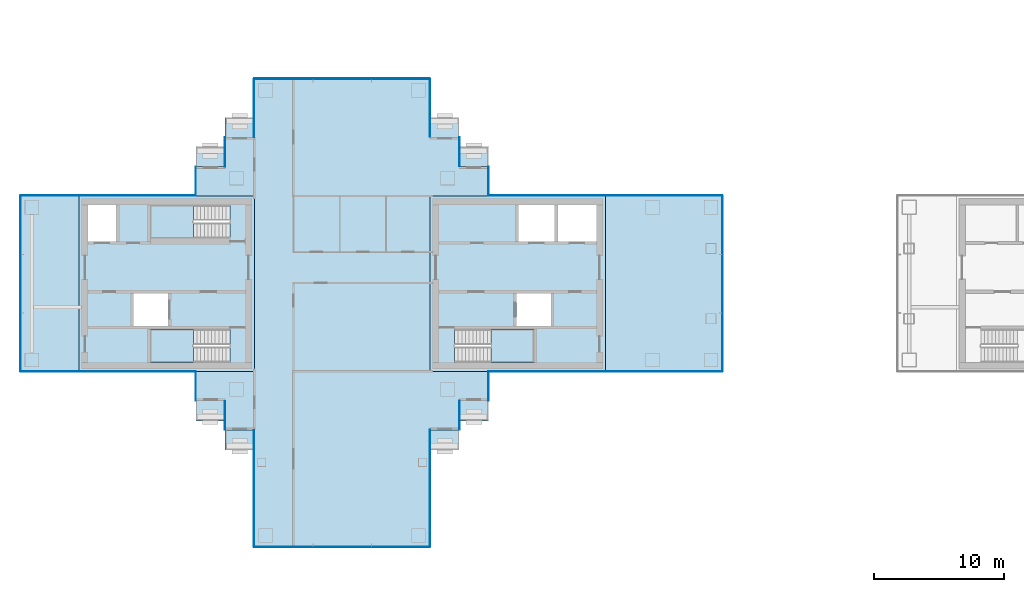
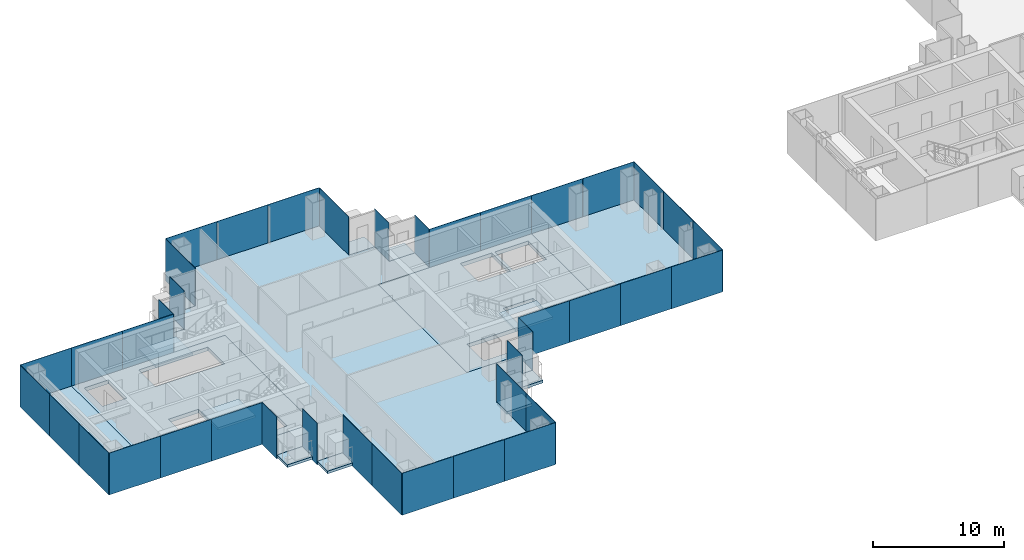
# One storey, part 7 of 17: 40 plates, 16 slabs, 23 elements without a shape of their own.
"""IFC4 building model written with IfcOpenShell, lengths in metres."""

from ifc_helpers import new_model, si_unit, direction, frame, origin, origin_2d, place, context, subcontext, project, spatial, polyline, rectangle, outline, extrude, material, layer, layer_set, type_object, element, aggregate, save


model = new_model("IFC4")

# Units and contexts
model_context = context("Model", 3, precision=1e-05, world=origin(), true_north=direction((0.0, 1.0)))
body_context = subcontext(model_context, "Body", "Model", "MODEL_VIEW")
ifc_project = project(units=[si_unit("LENGTHUNIT", "METRE"), si_unit("AREAUNIT", "SQUARE_METRE"), si_unit("VOLUMEUNIT", "CUBIC_METRE"), si_unit("PLANEANGLEUNIT", "RADIAN"), si_unit("MASSUNIT", "GRAM", prefix="KILO")], contexts=[model_context])

# Site, building, storey
site_placement = place(None, origin())
site = spatial("IfcSite", under=ifc_project, at=site_placement, CompositionType="ELEMENT")
building_placement = place(site_placement, origin())
building = spatial("IfcBuilding", under=site, at=building_placement, Name="Shamsa Quay Exchange Towers", CompositionType="ELEMENT")
storey_placement = place(building_placement, frame((0.0, 0.0, 174.0)))
storey = spatial("IfcBuildingStorey", under=building, at=storey_placement, Name="L41", CompositionType="ELEMENT", Elevation=174.0)

# Slabs
ifc_material_1 = material(Name="Precast concrete C40/50", Category="concrete")
ifc_layer_1 = layer(ifc_material_1, 0.25)
ifc_layer_set_1 = layer_set([ifc_layer_1], Name="BALCONY SLAB 250")
slab_type_1 = type_object("IfcSlabType", Name="BALCONY SLAB 250", PredefinedType="FLOOR", material=ifc_layer_set_1)
slab_1_placement = place(storey_placement, frame((0.0, 0.0, -0.25)))
element("IfcSlab", 1, at=slab_1_placement, inside=storey, type_object=slab_type_1, Name="Balcony T1-PKEN L41", PredefinedType="FLOOR", context=body_context, shape_type="SweptSolid", body=[
    extrude(outline(polyline([(-22.5, 9.0), (-24.7119140625, 9.0), (-24.7119140625, 10.550048828125), (-22.5, 10.550048828125), (-22.5, 9.0)])), origin(), (0.0, 0.0, 1.0), 0.25),
])
slab_2_placement = place(storey_placement, frame((0.0, 0.0, -0.25)))
element("IfcSlab", 2, at=slab_2_placement, inside=storey, type_object=slab_type_1, Name="Balcony T1-PKEN L41", PredefinedType="FLOOR", context=body_context, shape_type="SweptSolid", body=[
    extrude(outline(polyline([(-24.75, 11.25), (-26.9619140625, 11.25), (-26.9619140625, 12.800048828125), (-24.75, 12.800048828125), (-24.75, 11.25)])), origin(), (0.0, 0.0, 1.0), 0.25),
])
slab_3_placement = place(storey_placement, frame((0.0, 0.0, -0.25)))
element("IfcSlab", 3, at=slab_3_placement, inside=storey, type_object=slab_type_1, Name="Balcony T1-PKES L41", PredefinedType="FLOOR", context=body_context, shape_type="SweptSolid", body=[
    extrude(outline(polyline([(-24.7119140625, -9.0), (-22.5, -9.0), (-22.5, -10.550048828125), (-24.7119140625, -10.550048828125), (-24.7119140625, -9.0)])), origin(), (0.0, 0.0, 1.0), 0.25),
])
slab_4_placement = place(storey_placement, frame((0.0, 0.0, -0.25)))
element("IfcSlab", 4, at=slab_4_placement, inside=storey, type_object=slab_type_1, Name="Balcony T1-PKES L41", PredefinedType="FLOOR", context=body_context, shape_type="SweptSolid", body=[
    extrude(outline(polyline([(-26.9619140625, -11.25), (-24.75, -11.25), (-24.75, -12.800048828125), (-26.9619140625, -12.800048828125), (-26.9619140625, -11.25)])), origin(), (0.0, 0.0, 1.0), 0.25),
])
slab_5_placement = place(storey_placement, frame((0.0, 0.0, -0.25)))
element("IfcSlab", 5, at=slab_5_placement, inside=storey, type_object=slab_type_1, Name="Balcony T1-PKWN L41", PredefinedType="FLOOR", context=body_context, shape_type="SweptSolid", body=[
    extrude(outline(polyline([(-40.5380859375, 11.25), (-42.75, 11.25), (-42.75, 12.800048828125), (-40.5380859375, 12.800048828125), (-40.5380859375, 11.25)])), origin(), (0.0, 0.0, 1.0), 0.25),
])
slab_6_placement = place(storey_placement, frame((0.0, 0.0, -0.25)))
element("IfcSlab", 6, at=slab_6_placement, inside=storey, type_object=slab_type_1, Name="Balcony T1-PKWN L41", PredefinedType="FLOOR", context=body_context, shape_type="SweptSolid", body=[
    extrude(outline(polyline([(-42.7880859375, 9.0), (-45.0, 9.0), (-45.0, 10.550048828125), (-42.7880859375, 10.550048828125), (-42.7880859375, 9.0)])), origin(), (0.0, 0.0, 1.0), 0.25),
])
slab_7_placement = place(storey_placement, frame((0.0, 0.0, -0.25)))
element("IfcSlab", 7, at=slab_7_placement, inside=storey, type_object=slab_type_1, Name="Balcony T1-PKWS L41", PredefinedType="FLOOR", context=body_context, shape_type="SweptSolid", body=[
    extrude(outline(polyline([(-45.0, -9.0), (-42.7880859375, -9.0), (-42.7880859375, -10.550048828125), (-45.0, -10.550048828125), (-45.0, -9.0)])), origin(), (0.0, 0.0, 1.0), 0.25),
])
slab_8_placement = place(storey_placement, frame((0.0, 0.0, -0.25)))
element("IfcSlab", 8, at=slab_8_placement, inside=storey, type_object=slab_type_1, Name="Balcony T1-PKWS L41", PredefinedType="FLOOR", context=body_context, shape_type="SweptSolid", body=[
    extrude(outline(polyline([(-42.75, -11.25), (-40.5380859375, -11.25), (-40.5380859375, -12.800048828125), (-42.75, -12.800048828125), (-42.75, -11.25)])), origin(), (0.0, 0.0, 1.0), 0.25),
])
ifc_material_2 = material(Name="Concrete C50/60", Category="concrete")
ifc_layer_2 = layer(ifc_material_2, 0.35009765625)
ifc_layer_set_2 = layer_set([ifc_layer_2], Name="CORE FLOOR 350 C50/60")
slab_type_2 = type_object("IfcSlabType", Name="CORE FLOOR 350 C50/60", PredefinedType="FLOOR", material=ifc_layer_set_2)
slab_9_placement = place(storey_placement, frame((0.0, 0.0, -0.35009765625)))
element("IfcSlab", 9, at=slab_9_placement, inside=storey, type_object=slab_type_2, Name="Core floor T1A", PredefinedType="FLOOR", context=body_context, shape_type="SweptSolid", body=[
    extrude(outline(polyline([(-27.0, -6.75), (-13.5, -6.75), (-13.5, 6.75), (-27.0, 6.75), (-27.0, -6.75)]), holes=[polyline([(-25.099365234375, -6.050048828125), (-25.099365234375, -3.5), (-19.0, -3.5), (-19.0, -6.050048828125), (-25.099365234375, -6.050048828125)]), polyline([(-20.199951171875, 3.25), (-20.199951171875, 6.050048828125), (-17.39990234375, 6.050048828125), (-17.39990234375, 3.25), (-20.199951171875, 3.25)]), polyline([(-17.14990234375, 3.25), (-17.14990234375, 6.050048828125), (-14.199951171875, 6.050048828125), (-14.199951171875, 3.25), (-17.14990234375, 3.25)]), polyline([(-20.35009765625, -3.25), (-20.35009765625, -0.75), (-17.699951171875, -0.75), (-17.699951171875, -3.25), (-20.35009765625, -3.25)])]), origin(), (0.0, 0.0, 1.0), 0.35009765625),
])
slab_10_placement = place(storey_placement, frame((0.0, 0.0, -0.35009765625)))
element("IfcSlab", 10, at=slab_10_placement, inside=storey, type_object=slab_type_2, Name="Core floor T1B", PredefinedType="FLOOR", context=body_context, shape_type="SweptSolid", body=[
    extrude(outline(polyline([(-40.5, -6.75), (-40.5, 6.75), (-54.0, 6.75), (-54.0, -6.75), (-40.5, -6.75)]), holes=[polyline([(-42.400634765625, -3.5), (-42.400634765625, -6.050048828125), (-48.5, -6.050048828125), (-48.5, -3.5), (-42.400634765625, -3.5)]), polyline([(-42.400634765625, 6.050048828125), (-42.400634765625, 3.5), (-48.5, 3.5), (-48.5, 6.050048828125), (-42.400634765625, 6.050048828125)]), polyline([(-51.14990234375, 3.25), (-53.300048828125, 3.25), (-53.300048828125, 6.050048828125), (-51.14990234375, 6.050048828125), (-51.14990234375, 3.25)]), polyline([(-47.14990234375, -3.25), (-49.800048828125, -3.25), (-49.800048828125, -0.75), (-47.14990234375, -0.75), (-47.14990234375, -3.25)])]), origin(), (0.0, 0.0, 1.0), 0.35009765625),
])

# Stair, slab
ifc_material_3 = material(Name="Concrete C40/50", Category="concrete")
stair_type = type_object("IfcStairType", Name="EXIT STAIR 22 RISERS 177 MM", PredefinedType="HALF_TURN_STAIR", material=ifc_material_3)
stair_1_placement = place(storey_placement, origin())
stair_1 = element("IfcStair", 11, at=stair_1_placement, inside=storey, type_object=stair_type, Name="L41 Exit stair ST1", PredefinedType="HALF_TURN_STAIR")
ifc_layer_3 = layer(ifc_material_3, 0.199951171875)
ifc_layer_set_3 = layer_set([ifc_layer_3], Name="CORE STAIR LANDING")
slab_type_3 = type_object("IfcSlabType", Name="CORE STAIR LANDING", PredefinedType="LANDING", material=ifc_layer_set_3)
slab_11_placement = place(storey_placement, frame((0.0, 0.0, 1.75)))
slab_11 = element("IfcSlab", 12, at=slab_11_placement, type_object=slab_type_3, Name="ST1 landing 1", PredefinedType="LANDING", context=body_context, shape_type="SweptSolid", body=[
    extrude(outline(polyline([(-22.300048828125, -6.050048828125), (-19.0, -6.050048828125), (-19.0, -3.5), (-22.300048828125, -3.5), (-22.300048828125, -6.050048828125)])), origin(), (0.0, 0.0, 1.0), 0.199951171875),
])
aggregate(stair_1, [slab_11])

stair_2_placement = place(storey_placement, origin())
stair_2 = element("IfcStair", 13, at=stair_2_placement, inside=storey, type_object=stair_type, Name="L41 Exit stair ST2", PredefinedType="HALF_TURN_STAIR")
slab_12_placement = place(storey_placement, frame((0.0, 0.0, 1.75)))
slab_12 = element("IfcSlab", 14, at=slab_12_placement, type_object=slab_type_3, Name="ST2 landing 1", PredefinedType="LANDING", context=body_context, shape_type="SweptSolid", body=[
    extrude(outline(polyline([(-45.199951171875, -3.5), (-48.5, -3.5), (-48.5, -6.050048828125), (-45.199951171875, -6.050048828125), (-45.199951171875, -3.5)])), origin(), (0.0, 0.0, 1.0), 0.199951171875),
])
aggregate(stair_2, [slab_12])

stair_3_placement = place(storey_placement, origin())
stair_3 = element("IfcStair", 15, at=stair_3_placement, inside=storey, type_object=stair_type, Name="L41 Exit stair ST3", PredefinedType="HALF_TURN_STAIR")
slab_13_placement = place(storey_placement, frame((0.0, 0.0, 1.75)))
slab_13 = element("IfcSlab", 16, at=slab_13_placement, type_object=slab_type_3, Name="ST3 landing 1", PredefinedType="LANDING", context=body_context, shape_type="SweptSolid", body=[
    extrude(outline(polyline([(-45.199951171875, 6.050048828125), (-48.5, 6.050048828125), (-48.5, 3.5), (-45.199951171875, 3.5), (-45.199951171875, 6.050048828125)])), origin(), (0.0, 0.0, 1.0), 0.199951171875),
])
aggregate(stair_3, [slab_13])

# Curtain wall, plates
ifc_material_4 = material(Name="Aluminium EN AW-6063 T6, black anodised", Category="aluminium")
ifc_layer_4 = layer(ifc_material_4, 0.280029296875)
ifc_layer_set_4 = layer_set([ifc_layer_4], Name="CW-1 UNITISED VISION GLASS")
curtain_wall_type_1 = type_object("IfcCurtainWallType", Name="CW-1 UNITISED VISION GLASS", PredefinedType="NOTDEFINED", material=ifc_layer_set_4)
curtain_wall_1_placement = place(storey_placement, origin())
curtain_wall_1 = element("IfcCurtainWall", 17, at=curtain_wall_1_placement, inside=storey, type_object=curtain_wall_type_1, Name="CW1 T1-FLK-V-W L41", PredefinedType="NOTDEFINED")
ifc_material_5 = material(Name="Glass, laminated, dark tinted", Category="glass")
ifc_layer_5 = layer(ifc_material_5, 0.0400390625)
ifc_layer_set_5 = layer_set([ifc_layer_5], Name="CW-1 VISION GLASS 40")
plate_type_1 = type_object("IfcPlateType", Name="CW-1 VISION GLASS 40", PredefinedType="CURTAIN_PANEL", material=ifc_layer_set_5)
plate_1_placement = place(storey_placement, frame((-40.52001953125, -13.52587890625, -0.349853515625), z_axis=(0.0, 0.0, 1.0), x_axis=(0.0, -1.0, 0.0)))
plate_1 = element("IfcPlate", 18, at=plate_1_placement, type_object=plate_type_1, Name="CW1 glass panel", PredefinedType="CURTAIN_PANEL", context=body_context, shape_type="SweptSolid", body=[
    extrude(rectangle(XDim=4.47607421875, YDim=0.0400390625, at=origin_2d()), origin(), (0.0, 0.0, 1.0), 3.89990234375),
])
plate_2_placement = place(storey_placement, frame((-40.52001953125, -18.011962890625, -0.349853515625), z_axis=(0.0, 0.0, 1.0), x_axis=(0.0, -1.0, 0.0)))
plate_2 = element("IfcPlate", 19, at=plate_2_placement, type_object=plate_type_1, Name="CW1 glass panel", PredefinedType="CURTAIN_PANEL", context=body_context, shape_type="SweptSolid", body=[
    extrude(rectangle(XDim=4.47607421875, YDim=0.0400390625, at=origin_2d()), origin(), (0.0, 0.0, 1.0), 3.89990234375),
])
aggregate(curtain_wall_1, [plate_1, plate_2])

curtain_wall_2_placement = place(storey_placement, origin())
curtain_wall_2 = element("IfcCurtainWall", 20, at=curtain_wall_2_placement, inside=storey, type_object=curtain_wall_type_1, Name="CW1 T1-END-V- L41", PredefinedType="NOTDEFINED")
plate_3_placement = place(storey_placement, frame((-38.25244140625, -20.27001953125, -0.349853515625)))
plate_3 = element("IfcPlate", 21, at=plate_3_placement, type_object=plate_type_1, Name="CW1 glass panel", PredefinedType="CURTAIN_PANEL", context=body_context, shape_type="SweptSolid", body=[
    extrude(rectangle(XDim=4.4951171875, YDim=0.0400390625, at=origin_2d()), origin(), (0.0, 0.0, 1.0), 3.89990234375),
])
plate_4_placement = place(storey_placement, frame((-33.75, -20.27001953125, -0.349853515625)))
plate_4 = element("IfcPlate", 22, at=plate_4_placement, type_object=plate_type_1, Name="CW1 glass panel", PredefinedType="CURTAIN_PANEL", context=body_context, shape_type="SweptSolid", body=[
    extrude(rectangle(XDim=4.489990234375, YDim=0.0400390625, at=origin_2d()), origin(), (0.0, 0.0, 1.0), 3.89990234375),
])
plate_5_placement = place(storey_placement, frame((-29.24755859375, -20.27001953125, -0.349853515625)))
plate_5 = element("IfcPlate", 23, at=plate_5_placement, type_object=plate_type_1, Name="CW1 glass panel", PredefinedType="CURTAIN_PANEL", context=body_context, shape_type="SweptSolid", body=[
    extrude(rectangle(XDim=4.4951171875, YDim=0.0400390625, at=origin_2d()), origin(), (0.0, 0.0, 1.0), 3.89990234375),
])
aggregate(curtain_wall_2, [plate_3, plate_4, plate_5])

curtain_wall_3_placement = place(storey_placement, origin())
curtain_wall_3 = element("IfcCurtainWall", 24, at=curtain_wall_3_placement, inside=storey, type_object=curtain_wall_type_1, Name="CW1 T1-FLK-V-E L41", PredefinedType="NOTDEFINED")
plate_6_placement = place(storey_placement, frame((-26.97998046875, -18.00244140625, -0.349853515625), z_axis=(0.0, 0.0, 1.0), x_axis=(0.0, 1.0, 0.0)))
plate_6 = element("IfcPlate", 25, at=plate_6_placement, type_object=plate_type_1, Name="CW1 glass panel", PredefinedType="CURTAIN_PANEL", context=body_context, shape_type="SweptSolid", body=[
    extrude(rectangle(XDim=4.4951171875, YDim=0.0400390625, at=origin_2d()), origin(), (0.0, 0.0, 1.0), 3.89990234375),
])
plate_7_placement = place(storey_placement, frame((-26.97998046875, -13.49755859375, -0.349853515625), z_axis=(0.0, 0.0, 1.0), x_axis=(0.0, 1.0, 0.0)))
plate_7 = element("IfcPlate", 26, at=plate_7_placement, type_object=plate_type_1, Name="CW1 glass panel", PredefinedType="CURTAIN_PANEL", context=body_context, shape_type="SweptSolid", body=[
    extrude(rectangle(XDim=4.4951171875, YDim=0.0400390625, at=origin_2d()), origin(), (0.0, 0.0, 1.0), 3.89990234375),
])
aggregate(curtain_wall_3, [plate_6, plate_7])

curtain_wall_4_placement = place(storey_placement, origin())
curtain_wall_4 = element("IfcCurtainWall", 27, at=curtain_wall_4_placement, inside=storey, type_object=curtain_wall_type_1, Name="CW1 T1-FLK-U+S L41", PredefinedType="NOTDEFINED")
plate_8_placement = place(storey_placement, frame((-11.25244140625, -6.77001953125, -0.349853515625)))
plate_8 = element("IfcPlate", 28, at=plate_8_placement, type_object=plate_type_1, Name="CW1 glass panel", PredefinedType="CURTAIN_PANEL", context=body_context, shape_type="SweptSolid", body=[
    extrude(rectangle(XDim=4.4951171875, YDim=0.0400390625, at=origin_2d()), origin(), (0.0, 0.0, 1.0), 3.89990234375),
])
plate_9_placement = place(storey_placement, frame((-6.74755859375, -6.77001953125, -0.349853515625)))
plate_9 = element("IfcPlate", 29, at=plate_9_placement, type_object=plate_type_1, Name="CW1 glass panel", PredefinedType="CURTAIN_PANEL", context=body_context, shape_type="SweptSolid", body=[
    extrude(rectangle(XDim=4.4951171875, YDim=0.0400390625, at=origin_2d()), origin(), (0.0, 0.0, 1.0), 3.89990234375),
])
aggregate(curtain_wall_4, [plate_8, plate_9])

curtain_wall_5_placement = place(storey_placement, origin())
curtain_wall_5 = element("IfcCurtainWall", 30, at=curtain_wall_5_placement, inside=storey, type_object=curtain_wall_type_1, Name="CW1 T1-END-U+ L41", PredefinedType="NOTDEFINED")
plate_10_placement = place(storey_placement, frame((-4.47998046875, -4.50244140625, -0.349853515625), z_axis=(0.0, 0.0, 1.0), x_axis=(0.0, 1.0, 0.0)))
plate_10 = element("IfcPlate", 31, at=plate_10_placement, type_object=plate_type_1, Name="CW1 glass panel", PredefinedType="CURTAIN_PANEL", context=body_context, shape_type="SweptSolid", body=[
    extrude(rectangle(XDim=4.4951171875, YDim=0.0400390625, at=origin_2d()), origin(), (0.0, 0.0, 1.0), 3.89990234375),
])
plate_11_placement = place(storey_placement, frame((-4.47998046875, 0.0, -0.349853515625), z_axis=(0.0, 0.0, 1.0), x_axis=(0.0, 1.0, 0.0)))
plate_11 = element("IfcPlate", 32, at=plate_11_placement, type_object=plate_type_1, Name="CW1 glass panel", PredefinedType="CURTAIN_PANEL", context=body_context, shape_type="SweptSolid", body=[
    extrude(rectangle(XDim=4.489990234375, YDim=0.0400390625, at=origin_2d()), origin(), (0.0, 0.0, 1.0), 3.89990234375),
])
plate_12_placement = place(storey_placement, frame((-4.47998046875, 4.50244140625, -0.349853515625), z_axis=(0.0, 0.0, 1.0), x_axis=(0.0, 1.0, 0.0)))
plate_12 = element("IfcPlate", 33, at=plate_12_placement, type_object=plate_type_1, Name="CW1 glass panel", PredefinedType="CURTAIN_PANEL", context=body_context, shape_type="SweptSolid", body=[
    extrude(rectangle(XDim=4.4951171875, YDim=0.0400390625, at=origin_2d()), origin(), (0.0, 0.0, 1.0), 3.89990234375),
])
aggregate(curtain_wall_5, [plate_10, plate_11, plate_12])

curtain_wall_6_placement = place(storey_placement, origin())
curtain_wall_6 = element("IfcCurtainWall", 34, at=curtain_wall_6_placement, inside=storey, type_object=curtain_wall_type_1, Name="CW1 T1-FLK-U+N L41", PredefinedType="NOTDEFINED")
plate_13_placement = place(storey_placement, frame((-6.74755859375, 6.77001953125, -0.349853515625), z_axis=(0.0, 0.0, 1.0), x_axis=(-1.0, 0.0, 0.0)))
plate_13 = element("IfcPlate", 35, at=plate_13_placement, type_object=plate_type_1, Name="CW1 glass panel", PredefinedType="CURTAIN_PANEL", context=body_context, shape_type="SweptSolid", body=[
    extrude(rectangle(XDim=4.4951171875, YDim=0.0400390625, at=origin_2d()), origin(), (0.0, 0.0, 1.0), 3.89990234375),
])
plate_14_placement = place(storey_placement, frame((-11.25244140625, 6.77001953125, -0.349853515625), z_axis=(0.0, 0.0, 1.0), x_axis=(-1.0, 0.0, 0.0)))
plate_14 = element("IfcPlate", 36, at=plate_14_placement, type_object=plate_type_1, Name="CW1 glass panel", PredefinedType="CURTAIN_PANEL", context=body_context, shape_type="SweptSolid", body=[
    extrude(rectangle(XDim=4.4951171875, YDim=0.0400390625, at=origin_2d()), origin(), (0.0, 0.0, 1.0), 3.89990234375),
])
aggregate(curtain_wall_6, [plate_13, plate_14])

# Curtain wall, plate
curtain_wall_7_placement = place(storey_placement, origin())
curtain_wall_7 = element("IfcCurtainWall", 37, at=curtain_wall_7_placement, inside=storey, type_object=curtain_wall_type_1, Name="CW1 T1-FLK-V+E L41", PredefinedType="NOTDEFINED")
plate_15_placement = place(storey_placement, frame((-26.97998046875, 13.51904296875, -0.349853515625), z_axis=(0.0, 0.0, 1.0), x_axis=(0.0, 1.0, 0.0)))
plate_15 = element("IfcPlate", 38, at=plate_15_placement, type_object=plate_type_1, Name="CW1 glass panel", PredefinedType="CURTAIN_PANEL", context=body_context, shape_type="SweptSolid", body=[
    extrude(rectangle(XDim=4.4619140625, YDim=0.0400390625, at=origin_2d()), origin(), (0.0, 0.0, 1.0), 3.89990234375),
])
aggregate(curtain_wall_7, [plate_15])

# Curtain wall, plates
curtain_wall_8_placement = place(storey_placement, origin())
curtain_wall_8 = element("IfcCurtainWall", 39, at=curtain_wall_8_placement, inside=storey, type_object=curtain_wall_type_1, Name="CW1 T1-END-V+ L41", PredefinedType="NOTDEFINED")
plate_16_placement = place(storey_placement, frame((-29.24755859375, 15.77001953125, -0.349853515625), z_axis=(0.0, 0.0, 1.0), x_axis=(-1.0, 0.0, 0.0)))
plate_16 = element("IfcPlate", 40, at=plate_16_placement, type_object=plate_type_1, Name="CW1 glass panel", PredefinedType="CURTAIN_PANEL", context=body_context, shape_type="SweptSolid", body=[
    extrude(rectangle(XDim=4.4951171875, YDim=0.0400390625, at=origin_2d()), origin(), (0.0, 0.0, 1.0), 3.89990234375),
])
plate_17_placement = place(storey_placement, frame((-33.75, 15.77001953125, -0.349853515625), z_axis=(0.0, 0.0, 1.0), x_axis=(-1.0, 0.0, 0.0)))
plate_17 = element("IfcPlate", 41, at=plate_17_placement, type_object=plate_type_1, Name="CW1 glass panel", PredefinedType="CURTAIN_PANEL", context=body_context, shape_type="SweptSolid", body=[
    extrude(rectangle(XDim=4.489990234375, YDim=0.0400390625, at=origin_2d()), origin(), (0.0, 0.0, 1.0), 3.89990234375),
])
plate_18_placement = place(storey_placement, frame((-38.25244140625, 15.77001953125, -0.349853515625), z_axis=(0.0, 0.0, 1.0), x_axis=(-1.0, 0.0, 0.0)))
plate_18 = element("IfcPlate", 42, at=plate_18_placement, type_object=plate_type_1, Name="CW1 glass panel", PredefinedType="CURTAIN_PANEL", context=body_context, shape_type="SweptSolid", body=[
    extrude(rectangle(XDim=4.4951171875, YDim=0.0400390625, at=origin_2d()), origin(), (0.0, 0.0, 1.0), 3.89990234375),
])
aggregate(curtain_wall_8, [plate_16, plate_17, plate_18])

# Curtain wall, plate
curtain_wall_9_placement = place(storey_placement, origin())
curtain_wall_9 = element("IfcCurtainWall", 43, at=curtain_wall_9_placement, inside=storey, type_object=curtain_wall_type_1, Name="CW1 T1-FLK-V+W L41", PredefinedType="NOTDEFINED")
plate_19_placement = place(storey_placement, frame((-40.52001953125, 13.5, -0.349853515625), z_axis=(0.0, 0.0, 1.0), x_axis=(0.0, -1.0, 0.0)))
plate_19 = element("IfcPlate", 44, at=plate_19_placement, type_object=plate_type_1, Name="CW1 glass panel", PredefinedType="CURTAIN_PANEL", context=body_context, shape_type="SweptSolid", body=[
    extrude(rectangle(XDim=4.5, YDim=0.0400390625, at=origin_2d()), origin(), (0.0, 0.0, 1.0), 3.89990234375),
])
aggregate(curtain_wall_9, [plate_19])

curtain_wall_10_placement = place(storey_placement, origin())
curtain_wall_10 = element("IfcCurtainWall", 45, at=curtain_wall_10_placement, inside=storey, type_object=curtain_wall_type_1, Name="CW1 T1-FLK-U-N L41", PredefinedType="NOTDEFINED")
plate_20_placement = place(storey_placement, frame((-56.25, 6.77001953125, -0.349853515625), z_axis=(0.0, 0.0, 1.0), x_axis=(-1.0, 0.0, 0.0)))
plate_20 = element("IfcPlate", 46, at=plate_20_placement, type_object=plate_type_1, Name="CW1 glass panel", PredefinedType="CURTAIN_PANEL", context=body_context, shape_type="SweptSolid", body=[
    extrude(rectangle(XDim=4.5, YDim=0.0400390625, at=origin_2d()), origin(), (0.0, 0.0, 1.0), 3.89990234375),
])
aggregate(curtain_wall_10, [plate_20])

# Curtain wall, plates
curtain_wall_11_placement = place(storey_placement, origin())
curtain_wall_11 = element("IfcCurtainWall", 47, at=curtain_wall_11_placement, inside=storey, type_object=curtain_wall_type_1, Name="CW1 T1-END-U- L41", PredefinedType="NOTDEFINED")
plate_21_placement = place(storey_placement, frame((-58.52001953125, 4.50244140625, -0.349853515625), z_axis=(0.0, 0.0, 1.0), x_axis=(0.0, -1.0, 0.0)))
plate_21 = element("IfcPlate", 48, at=plate_21_placement, type_object=plate_type_1, Name="CW1 glass panel", PredefinedType="CURTAIN_PANEL", context=body_context, shape_type="SweptSolid", body=[
    extrude(rectangle(XDim=4.4951171875, YDim=0.0400390625, at=origin_2d()), origin(), (0.0, 0.0, 1.0), 3.89990234375),
])
plate_22_placement = place(storey_placement, frame((-58.52001953125, 0.0, -0.349853515625), z_axis=(0.0, 0.0, 1.0), x_axis=(0.0, -1.0, 0.0)))
plate_22 = element("IfcPlate", 49, at=plate_22_placement, type_object=plate_type_1, Name="CW1 glass panel", PredefinedType="CURTAIN_PANEL", context=body_context, shape_type="SweptSolid", body=[
    extrude(rectangle(XDim=4.489990234375, YDim=0.0400390625, at=origin_2d()), origin(), (0.0, 0.0, 1.0), 3.89990234375),
])
plate_23_placement = place(storey_placement, frame((-58.52001953125, -4.50244140625, -0.349853515625), z_axis=(0.0, 0.0, 1.0), x_axis=(0.0, -1.0, 0.0)))
plate_23 = element("IfcPlate", 50, at=plate_23_placement, type_object=plate_type_1, Name="CW1 glass panel", PredefinedType="CURTAIN_PANEL", context=body_context, shape_type="SweptSolid", body=[
    extrude(rectangle(XDim=4.4951171875, YDim=0.0400390625, at=origin_2d()), origin(), (0.0, 0.0, 1.0), 3.89990234375),
])
aggregate(curtain_wall_11, [plate_21, plate_22, plate_23])

# Curtain wall, plate
curtain_wall_12_placement = place(storey_placement, origin())
curtain_wall_12 = element("IfcCurtainWall", 51, at=curtain_wall_12_placement, inside=storey, type_object=curtain_wall_type_1, Name="CW1 T1-FLK-U-S L41", PredefinedType="NOTDEFINED")
plate_24_placement = place(storey_placement, frame((-56.25, -6.77001953125, -0.349853515625)))
plate_24 = element("IfcPlate", 52, at=plate_24_placement, type_object=plate_type_1, Name="CW1 glass panel", PredefinedType="CURTAIN_PANEL", context=body_context, shape_type="SweptSolid", body=[
    extrude(rectangle(XDim=4.5, YDim=0.0400390625, at=origin_2d()), origin(), (0.0, 0.0, 1.0), 3.89990234375),
])
aggregate(curtain_wall_12, [plate_24])

# Curtain wall, plates
ifc_layer_6 = layer(ifc_material_4, 0.303955078125)
ifc_layer_set_6 = layer_set([ifc_layer_6], Name="CW-2 UNITISED OPAQUE SPANDREL GLASS")
curtain_wall_type_2 = type_object("IfcCurtainWallType", Name="CW-2 UNITISED OPAQUE SPANDREL GLASS", PredefinedType="NOTDEFINED", material=ifc_layer_set_6)
curtain_wall_13_placement = place(storey_placement, origin())
curtain_wall_13 = element("IfcCurtainWall", 53, at=curtain_wall_13_placement, inside=storey, type_object=curtain_wall_type_2, Name="CW2 T1-FLK-U+S L41", PredefinedType="NOTDEFINED")
ifc_material_6 = material(Name="Glass, laminated, black enamelled opaque", Category="glass")
ifc_layer_7 = layer(ifc_material_6, 0.0439453125)
ifc_layer_set_7 = layer_set([ifc_layer_7], Name="CW-2 SPANDREL GLASS 44")
plate_type_2 = type_object("IfcPlateType", Name="CW-2 SPANDREL GLASS 44", PredefinedType="CURTAIN_PANEL", material=ifc_layer_set_7)
plate_25_placement = place(storey_placement, frame((-20.22412109375, -6.77197265625, -0.349853515625)))
plate_25 = element("IfcPlate", 54, at=plate_25_placement, type_object=plate_type_2, Name="CW2 glass panel", PredefinedType="CURTAIN_PANEL", context=body_context, shape_type="SweptSolid", body=[
    extrude(rectangle(XDim=4.47607421875, YDim=0.0439453125, at=origin_2d()), origin(), (0.0, 0.0, 1.0), 3.89990234375),
])
plate_26_placement = place(storey_placement, frame((-15.738037109375, -6.77197265625, -0.349853515625)))
plate_26 = element("IfcPlate", 55, at=plate_26_placement, type_object=plate_type_2, Name="CW2 glass panel", PredefinedType="CURTAIN_PANEL", context=body_context, shape_type="SweptSolid", body=[
    extrude(rectangle(XDim=4.47607421875, YDim=0.0439453125, at=origin_2d()), origin(), (0.0, 0.0, 1.0), 3.89990234375),
])
aggregate(curtain_wall_13, [plate_25, plate_26])

curtain_wall_14_placement = place(storey_placement, origin())
curtain_wall_14 = element("IfcCurtainWall", 56, at=curtain_wall_14_placement, inside=storey, type_object=curtain_wall_type_2, Name="CW2 T1-FLK-U+N L41", PredefinedType="NOTDEFINED")
plate_27_placement = place(storey_placement, frame((-15.74755859375, 6.77197265625, -0.349853515625), z_axis=(0.0, 0.0, 1.0), x_axis=(-1.0, 0.0, 0.0)))
plate_27 = element("IfcPlate", 57, at=plate_27_placement, type_object=plate_type_2, Name="CW2 glass panel", PredefinedType="CURTAIN_PANEL", context=body_context, shape_type="SweptSolid", body=[
    extrude(rectangle(XDim=4.4951171875, YDim=0.0439453125, at=origin_2d()), origin(), (0.0, 0.0, 1.0), 3.89990234375),
])
plate_28_placement = place(storey_placement, frame((-20.25244140625, 6.77197265625, -0.349853515625), z_axis=(0.0, 0.0, 1.0), x_axis=(-1.0, 0.0, 0.0)))
plate_28 = element("IfcPlate", 58, at=plate_28_placement, type_object=plate_type_2, Name="CW2 glass panel", PredefinedType="CURTAIN_PANEL", context=body_context, shape_type="SweptSolid", body=[
    extrude(rectangle(XDim=4.4951171875, YDim=0.0439453125, at=origin_2d()), origin(), (0.0, 0.0, 1.0), 3.89990234375),
])
aggregate(curtain_wall_14, [plate_27, plate_28])

curtain_wall_15_placement = place(storey_placement, origin())
curtain_wall_15 = element("IfcCurtainWall", 59, at=curtain_wall_15_placement, inside=storey, type_object=curtain_wall_type_2, Name="CW2 T1-FLK-U-N L41", PredefinedType="NOTDEFINED")
plate_29_placement = place(storey_placement, frame((-47.27587890625, 6.77197265625, -0.349853515625), z_axis=(0.0, 0.0, 1.0), x_axis=(-1.0, 0.0, 0.0)))
plate_29 = element("IfcPlate", 60, at=plate_29_placement, type_object=plate_type_2, Name="CW2 glass panel", PredefinedType="CURTAIN_PANEL", context=body_context, shape_type="SweptSolid", body=[
    extrude(rectangle(XDim=4.47607421875, YDim=0.0439453125, at=origin_2d()), origin(), (0.0, 0.0, 1.0), 3.89990234375),
])
plate_30_placement = place(storey_placement, frame((-51.761962890625, 6.77197265625, -0.349853515625), z_axis=(0.0, 0.0, 1.0), x_axis=(-1.0, 0.0, 0.0)))
plate_30 = element("IfcPlate", 61, at=plate_30_placement, type_object=plate_type_2, Name="CW2 glass panel", PredefinedType="CURTAIN_PANEL", context=body_context, shape_type="SweptSolid", body=[
    extrude(rectangle(XDim=4.47607421875, YDim=0.0439453125, at=origin_2d()), origin(), (0.0, 0.0, 1.0), 3.89990234375),
])
aggregate(curtain_wall_15, [plate_29, plate_30])

curtain_wall_16_placement = place(storey_placement, origin())
curtain_wall_16 = element("IfcCurtainWall", 62, at=curtain_wall_16_placement, inside=storey, type_object=curtain_wall_type_2, Name="CW2 T1-FLK-U-S L41", PredefinedType="NOTDEFINED")
plate_31_placement = place(storey_placement, frame((-51.75244140625, -6.77197265625, -0.349853515625)))
plate_31 = element("IfcPlate", 63, at=plate_31_placement, type_object=plate_type_2, Name="CW2 glass panel", PredefinedType="CURTAIN_PANEL", context=body_context, shape_type="SweptSolid", body=[
    extrude(rectangle(XDim=4.4951171875, YDim=0.0439453125, at=origin_2d()), origin(), (0.0, 0.0, 1.0), 3.89990234375),
])
plate_32_placement = place(storey_placement, frame((-47.24755859375, -6.77197265625, -0.349853515625)))
plate_32 = element("IfcPlate", 64, at=plate_32_placement, type_object=plate_type_2, Name="CW2 glass panel", PredefinedType="CURTAIN_PANEL", context=body_context, shape_type="SweptSolid", body=[
    extrude(rectangle(XDim=4.4951171875, YDim=0.0439453125, at=origin_2d()), origin(), (0.0, 0.0, 1.0), 3.89990234375),
])
aggregate(curtain_wall_16, [plate_31, plate_32])

ifc_layer_8 = layer(ifc_material_4, 0.256103515625)
ifc_layer_set_8 = layer_set([ifc_layer_8], Name="CW-4 POCKET SERRATED GLAZING")
curtain_wall_type_3 = type_object("IfcCurtainWallType", Name="CW-4 POCKET SERRATED GLAZING", PredefinedType="NOTDEFINED", material=ifc_layer_set_8)
curtain_wall_17_placement = place(storey_placement, origin())
curtain_wall_17 = element("IfcCurtainWall", 65, at=curtain_wall_17_placement, inside=storey, type_object=curtain_wall_type_3, Name="CW4 PKWS L41", PredefinedType="NOTDEFINED")
ifc_layer_9 = layer(ifc_material_5, 0.035888671875)
ifc_layer_set_9 = layer_set([ifc_layer_9], Name="CW-4 POCKET GLASS 36")
plate_type_3 = type_object("IfcPlateType", Name="CW-4 POCKET GLASS 36", PredefinedType="CURTAIN_PANEL", material=ifc_layer_set_9)
plate_33_placement = place(storey_placement, frame((-42.76806640625, -10.14404296875, -0.349853515625), z_axis=(0.0, 0.0, 1.0), x_axis=(0.0, -1.0, 0.0)))
plate_33 = element("IfcPlate", 66, at=plate_33_placement, type_object=plate_type_3, Name="CW4 glass panel", PredefinedType="CURTAIN_PANEL", context=body_context, shape_type="SweptSolid", body=[
    extrude(rectangle(XDim=2.2119140625, YDim=0.035888671875, at=origin_2d()), origin(), (0.0, 0.0, 1.0), 3.89990234375),
])
plate_34_placement = place(storey_placement, frame((-45.01806640625, -7.89794921875, -0.349853515625), z_axis=(0.0, 0.0, 1.0), x_axis=(0.0, -1.0, 0.0)))
plate_34 = element("IfcPlate", 67, at=plate_34_placement, type_object=plate_type_3, Name="CW4 glass panel", PredefinedType="CURTAIN_PANEL", context=body_context, shape_type="SweptSolid", body=[
    extrude(rectangle(XDim=2.2041015625, YDim=0.035888671875, at=origin_2d()), origin(), (0.0, 0.0, 1.0), 3.89990234375),
])
aggregate(curtain_wall_17, [plate_33, plate_34])

curtain_wall_18_placement = place(storey_placement, origin())
curtain_wall_18 = element("IfcCurtainWall", 68, at=curtain_wall_18_placement, inside=storey, type_object=curtain_wall_type_3, Name="CW4 PKES L41", PredefinedType="NOTDEFINED")
plate_35_placement = place(storey_placement, frame((-24.73193359375, -10.125, -0.349853515625), z_axis=(0.0, 0.0, 1.0), x_axis=(0.0, 1.0, 0.0)))
plate_35 = element("IfcPlate", 69, at=plate_35_placement, type_object=plate_type_3, Name="CW4 glass panel", PredefinedType="CURTAIN_PANEL", context=body_context, shape_type="SweptSolid", body=[
    extrude(rectangle(XDim=2.25, YDim=0.035888671875, at=origin_2d()), origin(), (0.0, 0.0, 1.0), 3.89990234375),
])
plate_36_placement = place(storey_placement, frame((-22.48193359375, -7.875, -0.349853515625), z_axis=(0.0, 0.0, 1.0), x_axis=(0.0, 1.0, 0.0)))
plate_36 = element("IfcPlate", 70, at=plate_36_placement, type_object=plate_type_3, Name="CW4 glass panel", PredefinedType="CURTAIN_PANEL", context=body_context, shape_type="SweptSolid", body=[
    extrude(rectangle(XDim=2.25, YDim=0.035888671875, at=origin_2d()), origin(), (0.0, 0.0, 1.0), 3.89990234375),
])
aggregate(curtain_wall_18, [plate_35, plate_36])

curtain_wall_19_placement = place(storey_placement, origin())
curtain_wall_19 = element("IfcCurtainWall", 71, at=curtain_wall_19_placement, inside=storey, type_object=curtain_wall_type_3, Name="CW4 PKEN L41", PredefinedType="NOTDEFINED")
plate_37_placement = place(storey_placement, frame((-22.48193359375, 7.89794921875, -0.349853515625), z_axis=(0.0, 0.0, 1.0), x_axis=(0.0, 1.0, 0.0)))
plate_37 = element("IfcPlate", 72, at=plate_37_placement, type_object=plate_type_3, Name="CW4 glass panel", PredefinedType="CURTAIN_PANEL", context=body_context, shape_type="SweptSolid", body=[
    extrude(rectangle(XDim=2.2041015625, YDim=0.035888671875, at=origin_2d()), origin(), (0.0, 0.0, 1.0), 3.89990234375),
])
plate_38_placement = place(storey_placement, frame((-24.73193359375, 10.14404296875, -0.349853515625), z_axis=(0.0, 0.0, 1.0), x_axis=(0.0, 1.0, 0.0)))
plate_38 = element("IfcPlate", 73, at=plate_38_placement, type_object=plate_type_3, Name="CW4 glass panel", PredefinedType="CURTAIN_PANEL", context=body_context, shape_type="SweptSolid", body=[
    extrude(rectangle(XDim=2.2119140625, YDim=0.035888671875, at=origin_2d()), origin(), (0.0, 0.0, 1.0), 3.89990234375),
])
aggregate(curtain_wall_19, [plate_37, plate_38])

curtain_wall_20_placement = place(storey_placement, origin())
curtain_wall_20 = element("IfcCurtainWall", 74, at=curtain_wall_20_placement, inside=storey, type_object=curtain_wall_type_3, Name="CW4 PKWN L41", PredefinedType="NOTDEFINED")
plate_39_placement = place(storey_placement, frame((-42.76806640625, 10.125, -0.349853515625), z_axis=(0.0, 0.0, 1.0), x_axis=(0.0, -1.0, 0.0)))
plate_39 = element("IfcPlate", 75, at=plate_39_placement, type_object=plate_type_3, Name="CW4 glass panel", PredefinedType="CURTAIN_PANEL", context=body_context, shape_type="SweptSolid", body=[
    extrude(rectangle(XDim=2.25, YDim=0.035888671875, at=origin_2d()), origin(), (0.0, 0.0, 1.0), 3.89990234375),
])
plate_40_placement = place(storey_placement, frame((-45.01806640625, 7.875, -0.349853515625), z_axis=(0.0, 0.0, 1.0), x_axis=(0.0, -1.0, 0.0)))
plate_40 = element("IfcPlate", 76, at=plate_40_placement, type_object=plate_type_3, Name="CW4 glass panel", PredefinedType="CURTAIN_PANEL", context=body_context, shape_type="SweptSolid", body=[
    extrude(rectangle(XDim=2.25, YDim=0.035888671875, at=origin_2d()), origin(), (0.0, 0.0, 1.0), 3.89990234375),
])
aggregate(curtain_wall_20, [plate_39, plate_40])

# Slabs
ifc_layer_10 = layer(ifc_material_3, 0.35009765625)
ifc_layer_set_10 = layer_set([ifc_layer_10], Name="Flat slab 350")
slab_type_4 = type_object("IfcSlabType", Name="Flat slab 350", PredefinedType="FLOOR", material=ifc_layer_set_10)
slab_14_placement = place(storey_placement, frame((0.0, 0.0, -0.35009765625)))
element("IfcSlab", 77, at=slab_14_placement, inside=storey, type_object=slab_type_4, Name="Flat slab T1 L41 1", PredefinedType="FLOOR", context=body_context, shape_type="SweptSolid", body=[
    extrude(outline(polyline([(-58.5, -6.75), (-54.0, -6.75), (-54.0, 6.75), (-58.5, 6.75), (-58.5, -6.75)])), origin(), (0.0, 0.0, 1.0), 0.35009765625),
])
slab_15_placement = place(storey_placement, frame((0.0, 0.0, -0.35009765625)))
element("IfcSlab", 78, at=slab_15_placement, inside=storey, type_object=slab_type_4, Name="Flat slab T1 L41 2", PredefinedType="FLOOR", context=body_context, shape_type="SweptSolid", body=[
    extrude(outline(polyline([(-22.5, -9.0), (-22.5, -6.75), (-27.0, -6.75), (-27.0, 6.75), (-22.5, 6.75), (-22.5, 9.0), (-24.75, 9.0), (-24.75, 11.25), (-27.0, 11.25), (-27.0, 15.75), (-40.5, 15.75), (-40.5, 11.25), (-42.75, 11.25), (-42.75, 9.0), (-45.0, 9.0), (-45.0, 6.75), (-40.5, 6.75), (-40.5, -6.75), (-45.0, -6.75), (-45.0, -9.0), (-42.75, -9.0), (-42.75, -11.25), (-40.5, -11.25), (-40.5, -20.25), (-27.0, -20.25), (-27.0, -11.25), (-24.75, -11.25), (-24.75, -9.0), (-22.5, -9.0)])), origin(), (0.0, 0.0, 1.0), 0.35009765625),
])
slab_16_placement = place(storey_placement, frame((0.0, 0.0, -0.35009765625)))
element("IfcSlab", 79, at=slab_16_placement, inside=storey, type_object=slab_type_4, Name="Flat slab T1 L41 3", PredefinedType="FLOOR", context=body_context, shape_type="SweptSolid", body=[
    extrude(outline(polyline([(-4.5, 6.75), (-13.5, 6.75), (-13.5, -6.75), (-4.5, -6.75), (-4.5, 6.75)])), origin(), (0.0, 0.0, 1.0), 0.35009765625),
])

save(model, "model.ifc")
